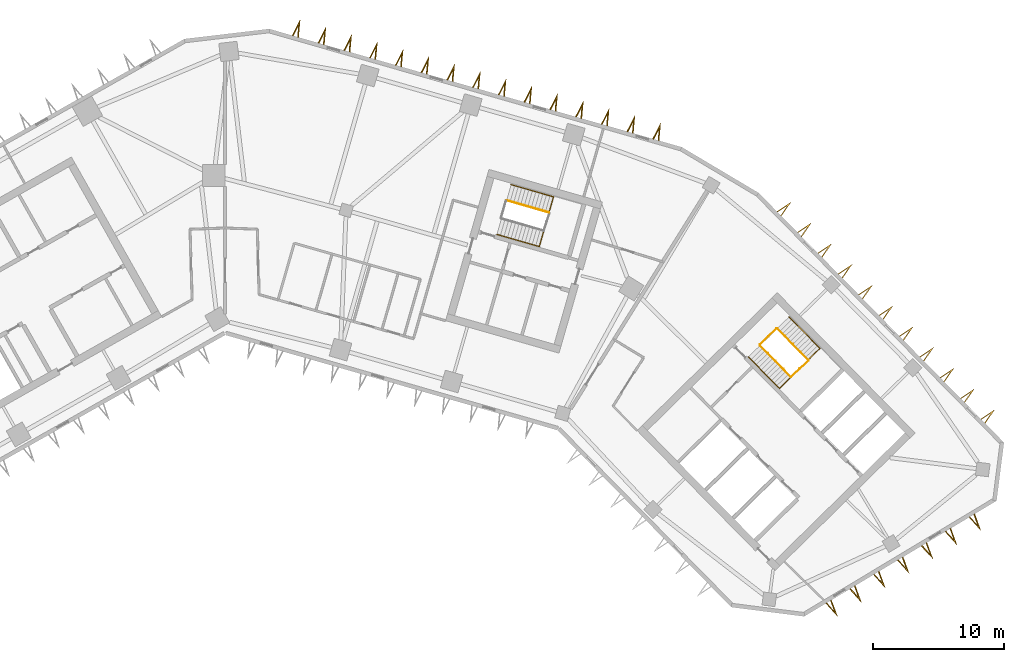
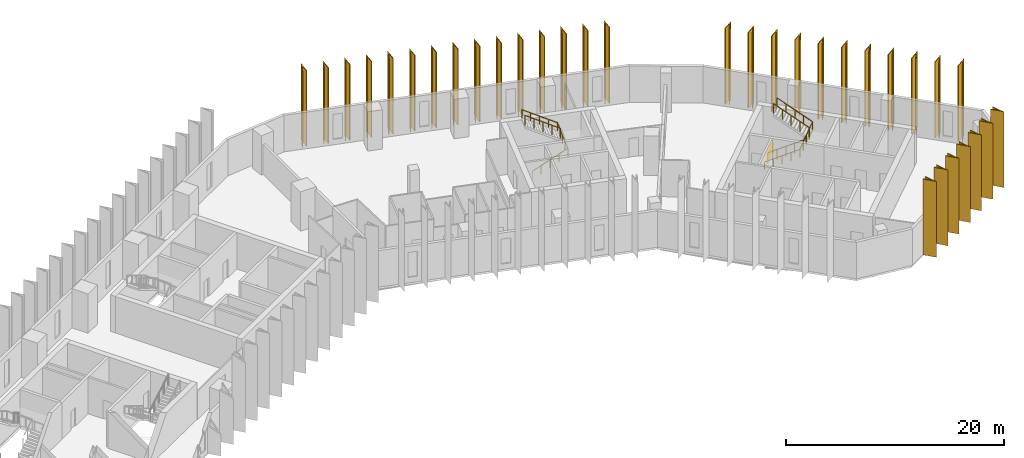
# One storey, part 11 of 11: 33 shading devices, 6 railings.
"""IFC4 building model written with IfcOpenShell, lengths in metres."""

import ifcopenshell
import ifcopenshell.guid

model = None  # the IFC model being written
_history = None  # IfcOwnerHistory: only IFC2X3 demands one
_inside = {}  # id of a spatial element -> (the spatial element, [elements in it])
_under = {}  # id of a project, library or spatial element -> (it, [spatial elements below it])
_declared = {}  # id of a project -> (the project, [libraries it declares])
_typed = {}  # id of a type object -> (the type object, [elements of that type])
_made_of = {}  # id of a material, layer set ... -> (it, [elements and type objects made of it])


def new_model(schema):
    """Start an empty IFC model of exactly this schema.

    Asked for "IFC4X3", IfcOpenShell would pick the latest addendum, in which some entities
    have other attributes; the version numbers below select the first issue.
    IFC2X3 requires an IfcOwnerHistory on every rooted entity: one is made here for all.
    """
    global model, _history
    if schema == "IFC4X3":
        model = ifcopenshell.file(schema_version=(4, 3, 0, 0))
    else:
        model = ifcopenshell.file(schema=schema)
    _inside.clear()
    _under.clear()
    _declared.clear()
    _typed.clear()
    _made_of.clear()
    _history = None
    if model.schema == "IFC2X3":
        org = make("IfcOrganization", Name="unknown")
        user = make(
            "IfcPersonAndOrganization",
            ThePerson=make("IfcPerson", FamilyName="unknown"),
            TheOrganization=org,
        )
        app = make(
            "IfcApplication",
            ApplicationDeveloper=org,
            Version="unknown",
            ApplicationFullName="unknown",
            ApplicationIdentifier="unknown",
        )
        _history = make(
            "IfcOwnerHistory",
            OwningUser=user,
            OwningApplication=app,
            ChangeAction="ADDED",
            CreationDate=0,
        )
    return model


def make(cls, **values):
    """One entity of the class cls with the attributes given. An attribute that is None is left unset."""
    return model.create_entity(
        cls, **{name: value for name, value in values.items() if value is not None}
    )


def rooted(cls, **values):
    """An entity with a GlobalId (a new one), such as an element, a storey or a relation."""
    return make(cls, GlobalId=ifcopenshell.guid.new(), OwnerHistory=_history, **values)


def si_unit(unit_type, name, prefix=None):
    """IfcSIUnit, for example si_unit("LENGTHUNIT", "METRE", prefix="MILLI")."""
    return make("IfcSIUnit", UnitType=unit_type, Prefix=prefix, Name=name)


def assignment(units):
    """IfcUnitAssignment: the units of a project."""
    return None if units is None else make("IfcUnitAssignment", Units=units)


def point(xyz):
    """IfcCartesianPoint."""
    return None if xyz is None else make("IfcCartesianPoint", Coordinates=xyz)


def direction(xyz):
    """IfcDirection."""
    return None if xyz is None else make("IfcDirection", DirectionRatios=xyz)


def frame(location, z_axis=None, x_axis=None):
    """IfcAxis2Placement3D, a coordinate frame: its origin and axes. An axis left out is left unset."""
    return make(
        "IfcAxis2Placement3D",
        Location=point(location),
        Axis=direction(z_axis),
        RefDirection=direction(x_axis),
    )


def frame_2d(location, x_axis=None):
    """IfcAxis2Placement2D, a coordinate frame in the plane: its origin and x axis."""
    return make(
        "IfcAxis2Placement2D", Location=point(location), RefDirection=direction(x_axis)
    )


def origin():
    """The frame at (0, 0, 0) with its axes left unset."""
    return frame((0.0, 0.0, 0.0))


def origin_2d():
    """The frame at (0, 0) in the plane with its x axis left unset."""
    return frame_2d((0.0, 0.0))


def place(relative_to, where):
    """IfcLocalPlacement: puts the frame where relative to a parent placement (None: the world)."""
    return make(
        "IfcLocalPlacement", PlacementRelTo=relative_to, RelativePlacement=where
    )


def context(
    kind, dimensions, precision=None, world=None, true_north=None, identifier=None
):
    """IfcGeometricRepresentationContext, for example the 3D "Model" context."""
    return make(
        "IfcGeometricRepresentationContext",
        ContextIdentifier=identifier,
        ContextType=kind,
        CoordinateSpaceDimension=dimensions,
        Precision=precision,
        WorldCoordinateSystem=world,
        TrueNorth=true_north,
    )


def subcontext(parent, identifier, kind, view, scale=None):
    """IfcGeometricRepresentationSubContext, for example "Body" below "Model"."""
    return make(
        "IfcGeometricRepresentationSubContext",
        ContextIdentifier=identifier,
        ContextType=kind,
        ParentContext=parent,
        TargetScale=scale,
        TargetView=view,
    )


def project(units=None, contexts=None):
    """IfcProject with its units and contexts."""
    return rooted(
        "IfcProject",
        Name="project",
        RepresentationContexts=contexts,
        UnitsInContext=assignment(units),
    )


def spatial(cls, under=None, at=None, **own):
    """A site, building, storey or space (cls), placed at a placement, below another one or the project."""
    s = rooted(cls, ObjectPlacement=at, **own)
    if under is not None:
        _under.setdefault(under.id(), (under, []))[1].append(s)
    return s


def polyline(points):
    """IfcPolyline through the points."""
    return make("IfcPolyline", Points=[point(p) for p in points])


def profile(cls, at=None, kind="AREA", **sizes):
    """A parametric profile (cls). Its sizes go by their IFC names, for example OverallWidth=200.0."""
    return make(cls, ProfileType=kind, Position=at, **sizes)


def circle(**sizes):
    """IfcCircleProfileDef."""
    return profile("IfcCircleProfileDef", **sizes)


def outline(outer, holes=None, kind="AREA"):
    """IfcArbitraryClosedProfileDef: a profile drawn as a closed curve; with holes, ...WithVoids."""
    if holes is None:
        return make("IfcArbitraryClosedProfileDef", ProfileType=kind, OuterCurve=outer)
    return make(
        "IfcArbitraryProfileDefWithVoids",
        ProfileType=kind,
        OuterCurve=outer,
        InnerCurves=holes,
    )


def extrude(swept, where, along, depth):
    """IfcExtrudedAreaSolid: the profile swept, set in the frame where, extruded along a direction by depth."""
    return make(
        "IfcExtrudedAreaSolid",
        SweptArea=swept,
        Position=where,
        ExtrudedDirection=direction(along),
        Depth=depth,
    )


def shape(context_of_items, identifier, shape_type, items):
    """IfcShapeRepresentation: the items that make up one representation, for example the "Body"."""
    return make(
        "IfcShapeRepresentation",
        ContextOfItems=context_of_items,
        RepresentationIdentifier=identifier,
        RepresentationType=shape_type,
        Items=items,
    )


def material(Name=None, Category=None):
    """IfcMaterial."""
    return make("IfcMaterial", Name=Name, Category=Category)


def made_of(thing, what):
    """Note that an element or type object is made of a material, layer set ...; save() writes the relation."""
    if what is not None:
        _made_of.setdefault(what.id(), (what, []))[1].append(thing)
    return thing


def type_object(cls, material=None, **own):
    """A type object (cls), such as IfcWallType, which elements share."""
    return made_of(rooted(cls, **own), material)


def element(
    cls,
    number,
    at=None,
    inside=None,
    cuts=None,
    type_object=None,
    material=None,
    context=None,
    identifier="Body",
    shape_type=None,
    held_by="IfcProductDefinitionShape",
    body=None,
    shapes=None,
    **own,
):
    """One element of the class cls, such as IfcWall. Its Tag is "e" and its number.

    at: its placement. inside: the storey or other place that contains it. cuts: it is an
    opening in that element (IfcRelVoidsElement). A single representation is given by context,
    identifier, shape_type and body (its items); several are given by shapes. held_by: the class
    of the entity that holds the representations. save() writes the other relations.
    """
    e = rooted(cls, Tag="e%d" % number, ObjectPlacement=at, **own)
    if body is not None:
        shapes = [shape(context, identifier, shape_type, body)]
    if shapes is not None:
        e.Representation = make(held_by, Representations=shapes)
    if inside is not None:
        _inside.setdefault(inside.id(), (inside, []))[1].append(e)
    if cuts is not None:
        rooted(
            "IfcRelVoidsElement", RelatingBuildingElement=cuts, RelatedOpeningElement=e
        )
    if type_object is not None:
        _typed.setdefault(type_object.id(), (type_object, []))[1].append(e)
    return made_of(e, material)


def aggregate(whole, parts):
    """IfcRelAggregates: a whole, such as a stair, and the parts it consists of."""
    return rooted("IfcRelAggregates", RelatingObject=whole, RelatedObjects=parts)


def save(model, path):
    """Write the relations noted so far, then the file.

    IfcRelAggregates (storeys below a building ...), IfcRelContainedInSpatialStructure (elements
    in a storey), IfcRelDefinesByType, IfcRelAssociatesMaterial and IfcRelDeclares: one each for
    every whole, place, type object, material and project.
    """
    for whole, parts in _under.values():
        aggregate(whole, parts)
    for where, things in _inside.values():
        rooted(
            "IfcRelContainedInSpatialStructure",
            RelatedElements=things,
            RelatingStructure=where,
        )
    for kind, things in _typed.values():
        rooted("IfcRelDefinesByType", RelatedObjects=things, RelatingType=kind)
    for what, things in _made_of.values():
        rooted("IfcRelAssociatesMaterial", RelatedObjects=things, RelatingMaterial=what)
    for by, libraries in _declared.values():
        rooted("IfcRelDeclares", RelatingContext=by, RelatedDefinitions=libraries)
    model.write(path)


model = new_model("IFC4")

# Units and contexts
model_context = context("Model", 3, precision=1e-05, world=origin(), true_north=direction((0.0, 1.0)))
body_context = subcontext(model_context, "Body", "Model", "MODEL_VIEW")
ifc_project = project(units=[si_unit("LENGTHUNIT", "METRE"), si_unit("AREAUNIT", "SQUARE_METRE"), si_unit("VOLUMEUNIT", "CUBIC_METRE"), si_unit("PLANEANGLEUNIT", "RADIAN"), si_unit("MASSUNIT", "GRAM", prefix="KILO")], contexts=[model_context])

# Site, building, storey
site_placement = place(None, origin())
site = spatial("IfcSite", under=ifc_project, at=site_placement, CompositionType="ELEMENT")
building_placement = place(site_placement, origin())
building = spatial("IfcBuilding", under=site, at=building_placement, Name="Binnacle Exchange Tower", CompositionType="ELEMENT")
storey_placement = place(building_placement, frame((0.0, 0.0, 132.300048828125)))
storey = spatial("IfcBuildingStorey", under=building, at=storey_placement, Name="L27", CompositionType="ELEMENT", Elevation=132.300048828125)

# Railings
ifc_material_1 = material(Name="Steel guard rail", Category="steel")
railing_type_1 = type_object("IfcRailingType", Name="STAIR GUARD 1100", PredefinedType="GUARDRAIL", material=ifc_material_1)
railing_1_placement = place(storey_placement, frame((40.822509765625, 47.046875, 0.169189453125)))
element("IfcRailing", 1, at=railing_1_placement, inside=storey, type_object=railing_type_1, Name="L27 STB1 stair guard 1", PredefinedType="GUARDRAIL", context=body_context, shape_type="SweptSolid", body=[
    extrude(circle(Radius=0.02392578125, at=origin_2d()), frame((0.0, 0.0, 1.076171875), z_axis=(0.599850224077, -0.610421915772, 0.51726665601), x_axis=(0.713256128111, 0.700903485305, 0.0)), (0.0, 0.0, 1.0), 3.926025390625),
    extrude(circle(Radius=0.02392578125, at=origin_2d()), frame((2.35498046875, -2.396484375, 3.10693359375), z_axis=(0.732527851538, 0.680737061369, 0.0), x_axis=(-0.680737061369, 0.732527851538, 0.0)), (0.0, 0.0, 1.0), 1.80078125),
    extrude(circle(Radius=0.02099609375, at=origin_2d()), origin(), (0.0, 0.0, 1.0), 1.052001953125),
    extrude(circle(Radius=0.02099609375, at=origin_2d()), frame((0.5888671875, -0.59912109375, 0.5078125)), (0.0, 0.0, 1.0), 1.052001953125),
    extrude(circle(Radius=0.02099609375, at=origin_2d()), frame((1.177490234375, -1.1982421875, 1.015380859375)), (0.0, 0.0, 1.0), 1.052001953125),
    extrude(circle(Radius=0.02099609375, at=origin_2d()), frame((1.76611328125, -1.79736328125, 1.52294921875)), (0.0, 0.0, 1.0), 1.052001953125),
    extrude(circle(Radius=0.02099609375, at=origin_2d()), frame((2.35498046875, -2.396484375, 2.03076171875)), (0.0, 0.0, 1.0), 1.052001953125),
    extrude(circle(Radius=0.02099609375, at=origin_2d()), frame((3.0146484375, -1.78369140625, 2.03076171875)), (0.0, 0.0, 1.0), 1.052001953125),
    extrude(circle(Radius=0.02099609375, at=origin_2d()), frame((3.674072265625, -1.170654296875, 2.03076171875)), (0.0, 0.0, 1.0), 1.052001953125),
])
railing_2_placement = place(storey_placement, frame((44.4970703125, 45.947021484375, 2.369140625)))
element("IfcRailing", 2, at=railing_2_placement, inside=storey, type_object=railing_type_1, Name="L27 STB1 stair guard 2", PredefinedType="GUARDRAIL", context=body_context, shape_type="SweptSolid", body=[
    extrude(circle(Radius=0.02392578125, at=origin_2d()), frame((0.0, 0.0, 1.076171875), z_axis=(-0.599850224077, 0.610421915772, 0.51726665601), x_axis=(-0.713256128111, -0.700903485305, 0.0)), (0.0, 0.0, 1.0), 3.926025390625),
    extrude(circle(Radius=0.02099609375, at=origin_2d()), origin(), (0.0, 0.0, 1.0), 1.052001953125),
    extrude(circle(Radius=0.02099609375, at=origin_2d()), frame((-0.5888671875, 0.59912109375, 0.5078125)), (0.0, 0.0, 1.0), 1.052001953125),
    extrude(circle(Radius=0.02099609375, at=origin_2d()), frame((-1.177490234375, 1.1982421875, 1.015380859375)), (0.0, 0.0, 1.0), 1.052001953125),
    extrude(circle(Radius=0.02099609375, at=origin_2d()), frame((-1.76611328125, 1.79736328125, 1.52294921875)), (0.0, 0.0, 1.0), 1.052001953125),
    extrude(circle(Radius=0.02099609375, at=origin_2d()), frame((-2.35498046875, 2.396484375, 2.03076171875)), (0.0, 0.0, 1.0), 1.052001953125),
])
railing_3_placement = place(storey_placement, frame((40.8232421875, 47.117431640625, 0.0)))
element("IfcRailing", 3, at=railing_3_placement, inside=storey, type_object=railing_type_1, Name="L27 STB1 stair guard 3", PredefinedType="GUARDRAIL", context=body_context, shape_type="SweptSolid", body=[
    extrude(circle(Radius=0.02392578125, at=origin_2d()), frame((0.0, 0.0, 1.076171875), z_axis=(0.713218950569, 0.700941316052, 0.0), x_axis=(-0.700941316052, 0.713218950569, 0.0)), (0.0, 0.0, 1.0), 1.75),
    extrude(circle(Radius=0.02099609375, at=origin_2d()), origin(), (0.0, 0.0, 1.0), 1.052001953125),
    extrude(circle(Radius=0.02099609375, at=origin_2d()), frame((0.6240234375, 0.61328125, 0.0)), (0.0, 0.0, 1.0), 1.052001953125),
    extrude(circle(Radius=0.02099609375, at=origin_2d()), frame((1.248046875, 1.2265625, 0.0)), (0.0, 0.0, 1.0), 1.052001953125),
])
railing_4_placement = place(storey_placement, frame((24.716064453125, 57.177978515625, 2.369140625)))
element("IfcRailing", 4, at=railing_4_placement, inside=storey, type_object=railing_type_1, Name="L27 STD1 stair guard 2", PredefinedType="GUARDRAIL", context=body_context, shape_type="SweptSolid", body=[
    extrude(circle(Radius=0.02392578125, at=origin_2d()), frame((0.0, 0.0, 1.076171875), z_axis=(-0.82266146106, 0.235934506256, 0.517264950721), x_axis=(-0.27568068152, -0.961249271436, 0.0)), (0.0, 0.0, 1.0), 3.926025390625),
    extrude(circle(Radius=0.02099609375, at=origin_2d()), origin(), (0.0, 0.0, 1.0), 1.052001953125),
    extrude(circle(Radius=0.02099609375, at=origin_2d()), frame((-0.807373046875, 0.2314453125, 0.5078125)), (0.0, 0.0, 1.0), 1.052001953125),
    extrude(circle(Radius=0.02099609375, at=origin_2d()), frame((-1.61474609375, 0.463134765625, 1.015380859375)), (0.0, 0.0, 1.0), 1.052001953125),
    extrude(circle(Radius=0.02099609375, at=origin_2d()), frame((-2.42236328125, 0.69482421875, 1.52294921875)), (0.0, 0.0, 1.0), 1.052001953125),
    extrude(circle(Radius=0.02099609375, at=origin_2d()), frame((-3.229736328125, 0.92626953125, 2.03076171875)), (0.0, 0.0, 1.0), 1.052001953125),
])
ifc_material_2 = material(Name="Steel handrail", Category="steel")
railing_type_2 = type_object("IfcRailingType", Name="STAIR HANDRAIL 900", PredefinedType="HANDRAIL", material=ifc_material_2)
railing_5_placement = place(storey_placement, frame((39.930908203125, 46.170654296875, 0.169189453125)))
element("IfcRailing", 5, at=railing_5_placement, inside=storey, type_object=railing_type_2, Name="L27 STB1 stair handrail 1", PredefinedType="HANDRAIL", context=body_context, shape_type="SweptSolid", body=[
    extrude(circle(Radius=0.02392578125, at=origin_2d()), frame((0.0, 0.0, 0.8759765625), z_axis=(0.599890032335, -0.610399145579, 0.51724736073), x_axis=(0.713219803244, 0.700940448441, 0.0)), (0.0, 0.0, 1.0), 3.926025390625),
    extrude(circle(Radius=0.02392578125, at=origin_2d()), frame((2.355224609375, -2.396484375, 2.90673828125), z_axis=(0.712714810107, 0.700376341566, 0.038866175905), x_axis=(-0.700905928746, 0.713253726978, 0.0)), (0.0, 0.0, 1.0), 4.35302734375),
    extrude(circle(Radius=0.02392578125, at=origin_2d()), frame((5.457763671875, 0.65234375, 3.07568359375), z_axis=(-0.599827453926, 0.610460928384, 0.517247020709), x_axis=(-0.713291821981, -0.70086716052, 0.0)), (0.0, 0.0, 1.0), 3.926025390625),
    extrude(circle(Radius=0.02099609375, at=origin_2d()), origin(), (0.0, 0.0, 1.0), 0.851806640625),
    extrude(circle(Radius=0.02099609375, at=origin_2d()), frame((0.5888671875, -0.59912109375, 0.5078125)), (0.0, 0.0, 1.0), 0.851806640625),
    extrude(circle(Radius=0.02099609375, at=origin_2d()), frame((1.177734375, -1.1982421875, 1.015380859375)), (0.0, 0.0, 1.0), 0.851806640625),
    extrude(circle(Radius=0.02099609375, at=origin_2d()), frame((1.766357421875, -1.79736328125, 1.52294921875)), (0.0, 0.0, 1.0), 0.851806640625),
    extrude(circle(Radius=0.02099609375, at=origin_2d()), frame((2.355224609375, -2.396484375, 2.03076171875)), (0.0, 0.0, 1.0), 0.851806640625),
    extrude(circle(Radius=0.02099609375, at=origin_2d()), frame((3.130859375, -1.63427734375, 2.072998046875)), (0.0, 0.0, 1.0), 0.851806640625),
    extrude(circle(Radius=0.02099609375, at=origin_2d()), frame((3.906494140625, -0.8720703125, 2.115234375)), (0.0, 0.0, 1.0), 0.851806640625),
    extrude(circle(Radius=0.02099609375, at=origin_2d()), frame((4.68212890625, -0.10986328125, 2.15771484375)), (0.0, 0.0, 1.0), 0.851806640625),
    extrude(circle(Radius=0.02099609375, at=origin_2d()), frame((5.457763671875, 0.65234375, 2.199951171875)), (0.0, 0.0, 1.0), 0.851806640625),
    extrude(circle(Radius=0.02099609375, at=origin_2d()), frame((4.869140625, 1.25146484375, 2.70751953125)), (0.0, 0.0, 1.0), 0.851806640625),
    extrude(circle(Radius=0.02099609375, at=origin_2d()), frame((4.2802734375, 1.8505859375, 3.21533203125)), (0.0, 0.0, 1.0), 0.851806640625),
    extrude(circle(Radius=0.02099609375, at=origin_2d()), frame((3.69140625, 2.449951171875, 3.72314453125)), (0.0, 0.0, 1.0), 0.851806640625),
    extrude(circle(Radius=0.02099609375, at=origin_2d()), frame((3.102783203125, 3.049072265625, 4.230712890625)), (0.0, 0.0, 1.0), 0.851806640625),
])
railing_6_placement = place(storey_placement, frame((20.7421875, 55.5087890625, 0.169189453125)))
element("IfcRailing", 6, at=railing_6_placement, inside=storey, type_object=railing_type_2, Name="L27 STD1 stair handrail 1", PredefinedType="HANDRAIL", context=body_context, shape_type="SweptSolid", body=[
    extrude(circle(Radius=0.02392578125, at=origin_2d()), frame((0.0, 0.0, 0.8759765625), z_axis=(0.82266146106, -0.235934506256, 0.517264950721), x_axis=(0.27568068152, 0.961249271436, 0.0)), (0.0, 0.0, 1.0), 3.926025390625),
    extrude(circle(Radius=0.02392578125, at=origin_2d()), frame((3.229736328125, -0.92626953125, 2.90673828125), z_axis=(0.275399082883, 0.960377115711, 0.042791830591), x_axis=(-0.961257617982, 0.275651576943, 0.0)), (0.0, 0.0, 1.0), 3.953857421875),
    extrude(circle(Radius=0.02392578125, at=origin_2d()), frame((4.318603515625, 2.870849609375, 3.07568359375), z_axis=(-0.822693627572, 0.235863713483, 0.517246076655), x_axis=(-0.275594289407, -0.961274043989, 0.0)), (0.0, 0.0, 1.0), 3.926025390625),
    extrude(circle(Radius=0.02099609375, at=origin_2d()), origin(), (0.0, 0.0, 1.0), 0.851806640625),
    extrude(circle(Radius=0.02099609375, at=origin_2d()), frame((0.807373046875, -0.2314453125, 0.5078125)), (0.0, 0.0, 1.0), 0.851806640625),
    extrude(circle(Radius=0.02099609375, at=origin_2d()), frame((1.61474609375, -0.463134765625, 1.015380859375)), (0.0, 0.0, 1.0), 0.851806640625),
    extrude(circle(Radius=0.02099609375, at=origin_2d()), frame((2.42236328125, -0.69482421875, 1.52294921875)), (0.0, 0.0, 1.0), 0.851806640625),
    extrude(circle(Radius=0.02099609375, at=origin_2d()), frame((3.229736328125, -0.92626953125, 2.03076171875)), (0.0, 0.0, 1.0), 0.851806640625),
    extrude(circle(Radius=0.02099609375, at=origin_2d()), frame((3.501953125, 0.02294921875, 2.072998046875)), (0.0, 0.0, 1.0), 0.851806640625),
    extrude(circle(Radius=0.02099609375, at=origin_2d()), frame((3.774169921875, 0.97216796875, 2.115234375)), (0.0, 0.0, 1.0), 0.851806640625),
    extrude(circle(Radius=0.02099609375, at=origin_2d()), frame((4.04638671875, 1.921630859375, 2.15771484375)), (0.0, 0.0, 1.0), 0.851806640625),
    extrude(circle(Radius=0.02099609375, at=origin_2d()), frame((4.318603515625, 2.870849609375, 2.199951171875)), (0.0, 0.0, 1.0), 0.851806640625),
    extrude(circle(Radius=0.02099609375, at=origin_2d()), frame((3.51123046875, 3.102294921875, 2.70751953125)), (0.0, 0.0, 1.0), 0.851806640625),
    extrude(circle(Radius=0.02099609375, at=origin_2d()), frame((2.70361328125, 3.333984375, 3.21533203125)), (0.0, 0.0, 1.0), 0.851806640625),
    extrude(circle(Radius=0.02099609375, at=origin_2d()), frame((1.89599609375, 3.5654296875, 3.72314453125)), (0.0, 0.0, 1.0), 0.851806640625),
    extrude(circle(Radius=0.02099609375, at=origin_2d()), frame((1.088623046875, 3.796875, 4.230712890625)), (0.0, 0.0, 1.0), 0.851806640625),
])

# Shading devices
ifc_material_3 = material(Name="Bronze aluminium cladding", Category="aluminium")
shading_device_type = type_object("IfcShadingDeviceType", Name="V FIN 1300 DEEP x 8480 HIGH", PredefinedType="USERDEFINED", material=ifc_material_3)
shading_device_1_placement = place(storey_placement, origin())
element("IfcShadingDevice", 7, at=shading_device_1_placement, inside=storey, type_object=shading_device_type, Name="V fin FN-F01-01 L27", ObjectType="FIN", PredefinedType="USERDEFINED", context=body_context, shape_type="SweptSolid", body=[
    extrude(outline(polyline([(33.107421875, 62.66259765625), (33.225341796875, 63.981201171875), (32.626708984375, 62.800537109375), (32.705078125, 62.778076171875), (33.108642578125, 63.573974609375), (33.029052734375, 62.68505859375), (33.107421875, 62.66259765625)])), origin(), (0.0, 0.0, 1.0), 8.47998046875),
])
shading_device_2_placement = place(storey_placement, origin())
element("IfcShadingDevice", 8, at=shading_device_2_placement, inside=storey, type_object=shading_device_type, Name="V fin FN-F01-02 L27", ObjectType="FIN", PredefinedType="USERDEFINED", context=body_context, shape_type="SweptSolid", body=[
    extrude(outline(polyline([(31.143310546875, 63.225830078125), (31.26123046875, 64.54443359375), (30.66259765625, 63.36376953125), (30.740966796875, 63.34130859375), (31.14453125, 64.13720703125), (31.06494140625, 63.248291015625), (31.143310546875, 63.225830078125)])), origin(), (0.0, 0.0, 1.0), 8.47998046875),
])
shading_device_3_placement = place(storey_placement, origin())
element("IfcShadingDevice", 9, at=shading_device_3_placement, inside=storey, type_object=shading_device_type, Name="V fin FN-F01-03 L27", ObjectType="FIN", PredefinedType="USERDEFINED", context=body_context, shape_type="SweptSolid", body=[
    extrude(outline(polyline([(29.17919921875, 63.7890625), (29.297119140625, 65.107666015625), (28.698486328125, 63.927001953125), (28.77685546875, 63.904541015625), (29.180419921875, 64.700439453125), (29.100830078125, 63.8115234375), (29.17919921875, 63.7890625)])), origin(), (0.0, 0.0, 1.0), 8.47998046875),
])
shading_device_4_placement = place(storey_placement, origin())
element("IfcShadingDevice", 10, at=shading_device_4_placement, inside=storey, type_object=shading_device_type, Name="V fin FN-F01-04 L27", ObjectType="FIN", PredefinedType="USERDEFINED", context=body_context, shape_type="SweptSolid", body=[
    extrude(outline(polyline([(27.215087890625, 64.352294921875), (27.3330078125, 65.6708984375), (26.734619140625, 64.489990234375), (26.812744140625, 64.4677734375), (27.21630859375, 65.263671875), (27.13671875, 64.374755859375), (27.215087890625, 64.352294921875)])), origin(), (0.0, 0.0, 1.0), 8.47998046875),
])
shading_device_5_placement = place(storey_placement, origin())
element("IfcShadingDevice", 11, at=shading_device_5_placement, inside=storey, type_object=shading_device_type, Name="V fin FN-F01-05 L27", ObjectType="FIN", PredefinedType="USERDEFINED", context=body_context, shape_type="SweptSolid", body=[
    extrude(outline(polyline([(25.2509765625, 64.91552734375), (25.368896484375, 66.23388671875), (24.7705078125, 65.05322265625), (24.8486328125, 65.031005859375), (25.252197265625, 65.826904296875), (25.172607421875, 64.93798828125), (25.2509765625, 64.91552734375)])), origin(), (0.0, 0.0, 1.0), 8.47998046875),
])
shading_device_6_placement = place(storey_placement, origin())
element("IfcShadingDevice", 12, at=shading_device_6_placement, inside=storey, type_object=shading_device_type, Name="V fin FN-F01-06 L27", ObjectType="FIN", PredefinedType="USERDEFINED", context=body_context, shape_type="SweptSolid", body=[
    extrude(outline(polyline([(23.287109375, 65.478515625), (23.405029296875, 66.797119140625), (22.806396484375, 65.616455078125), (22.884765625, 65.593994140625), (23.288330078125, 66.389892578125), (23.208740234375, 65.5009765625), (23.287109375, 65.478515625)])), origin(), (0.0, 0.0, 1.0), 8.47998046875),
])
shading_device_7_placement = place(storey_placement, origin())
element("IfcShadingDevice", 13, at=shading_device_7_placement, inside=storey, type_object=shading_device_type, Name="V fin FN-F01-07 L27", ObjectType="FIN", PredefinedType="USERDEFINED", context=body_context, shape_type="SweptSolid", body=[
    extrude(outline(polyline([(21.32275390625, 66.041748046875), (21.44091796875, 67.3603515625), (20.84228515625, 66.1796875), (20.92041015625, 66.1572265625), (21.32421875, 66.953125), (21.244384765625, 66.064208984375), (21.32275390625, 66.041748046875)])), origin(), (0.0, 0.0, 1.0), 8.47998046875),
])
shading_device_8_placement = place(storey_placement, origin())
element("IfcShadingDevice", 14, at=shading_device_8_placement, inside=storey, type_object=shading_device_type, Name="V fin FN-F01-08 L27", ObjectType="FIN", PredefinedType="USERDEFINED", context=body_context, shape_type="SweptSolid", body=[
    extrude(outline(polyline([(19.35888671875, 66.60498046875), (19.476806640625, 67.923583984375), (18.878173828125, 66.742919921875), (18.95654296875, 66.720458984375), (19.360107421875, 67.516357421875), (19.280517578125, 66.62744140625), (19.35888671875, 66.60498046875)])), origin(), (0.0, 0.0, 1.0), 8.47998046875),
])
shading_device_9_placement = place(storey_placement, origin())
element("IfcShadingDevice", 15, at=shading_device_9_placement, inside=storey, type_object=shading_device_type, Name="V fin FN-F01-09 L27", ObjectType="FIN", PredefinedType="USERDEFINED", context=body_context, shape_type="SweptSolid", body=[
    extrude(outline(polyline([(17.394775390625, 67.168212890625), (17.5126953125, 68.48681640625), (16.9140625, 67.305908203125), (16.992431640625, 67.28369140625), (17.39599609375, 68.07958984375), (17.31640625, 67.190673828125), (17.394775390625, 67.168212890625)])), origin(), (0.0, 0.0, 1.0), 8.47998046875),
])
shading_device_10_placement = place(storey_placement, origin())
element("IfcShadingDevice", 16, at=shading_device_10_placement, inside=storey, type_object=shading_device_type, Name="V fin FN-F01-10 L27", ObjectType="FIN", PredefinedType="USERDEFINED", context=body_context, shape_type="SweptSolid", body=[
    extrude(outline(polyline([(15.4306640625, 67.7314453125), (15.548583984375, 69.0498046875), (14.949951171875, 67.869140625), (15.0283203125, 67.8466796875), (15.431884765625, 68.642578125), (15.352294921875, 67.75390625), (15.4306640625, 67.7314453125)])), origin(), (0.0, 0.0, 1.0), 8.47998046875),
])
shading_device_11_placement = place(storey_placement, origin())
element("IfcShadingDevice", 17, at=shading_device_11_placement, inside=storey, type_object=shading_device_type, Name="V fin FN-F01-11 L27", ObjectType="FIN", PredefinedType="USERDEFINED", context=body_context, shape_type="SweptSolid", body=[
    extrude(outline(polyline([(13.466552734375, 68.294677734375), (13.58447265625, 69.613037109375), (12.98583984375, 68.432373046875), (13.064208984375, 68.409912109375), (13.4677734375, 69.205810546875), (13.38818359375, 68.31689453125), (13.466552734375, 68.294677734375)])), origin(), (0.0, 0.0, 1.0), 8.47998046875),
])
shading_device_12_placement = place(storey_placement, origin())
element("IfcShadingDevice", 18, at=shading_device_12_placement, inside=storey, type_object=shading_device_type, Name="V fin FN-F01-12 L27", ObjectType="FIN", PredefinedType="USERDEFINED", context=body_context, shape_type="SweptSolid", body=[
    extrude(outline(polyline([(11.50244140625, 68.85791015625), (11.620361328125, 70.17626953125), (11.021728515625, 68.99560546875), (11.10009765625, 68.97314453125), (11.503662109375, 69.76904296875), (11.424072265625, 68.880126953125), (11.50244140625, 68.85791015625)])), origin(), (0.0, 0.0, 1.0), 8.47998046875),
])
shading_device_13_placement = place(storey_placement, origin())
element("IfcShadingDevice", 19, at=shading_device_13_placement, inside=storey, type_object=shading_device_type, Name="V fin FN-F01-13 L27", ObjectType="FIN", PredefinedType="USERDEFINED", context=body_context, shape_type="SweptSolid", body=[
    extrude(outline(polyline([(9.538330078125, 69.4208984375), (9.65625, 70.739501953125), (9.0576171875, 69.558837890625), (9.135986328125, 69.536376953125), (9.53955078125, 70.332275390625), (9.4599609375, 69.443359375), (9.538330078125, 69.4208984375)])), origin(), (0.0, 0.0, 1.0), 8.47998046875),
])
shading_device_14_placement = place(storey_placement, origin())
element("IfcShadingDevice", 20, at=shading_device_14_placement, inside=storey, type_object=shading_device_type, Name="V fin FN-F01-14 L27", ObjectType="FIN", PredefinedType="USERDEFINED", context=body_context, shape_type="SweptSolid", body=[
    extrude(outline(polyline([(7.57421875, 69.984130859375), (7.6923828125, 71.302734375), (7.09375, 70.1220703125), (7.172119140625, 70.099609375), (7.57568359375, 70.8955078125), (7.49609375, 70.006591796875), (7.57421875, 69.984130859375)])), origin(), (0.0, 0.0, 1.0), 8.47998046875),
])
shading_device_15_placement = place(storey_placement, origin())
element("IfcShadingDevice", 21, at=shading_device_15_placement, inside=storey, type_object=shading_device_type, Name="V fin FN-F01-15 L27", ObjectType="FIN", PredefinedType="USERDEFINED", context=body_context, shape_type="SweptSolid", body=[
    extrude(outline(polyline([(5.610107421875, 70.54736328125), (5.72802734375, 71.865966796875), (5.12939453125, 70.685302734375), (5.207763671875, 70.662841796875), (5.611328125, 71.458740234375), (5.53173828125, 70.56982421875), (5.610107421875, 70.54736328125)])), origin(), (0.0, 0.0, 1.0), 8.47998046875),
])
shading_device_16_placement = place(storey_placement, origin())
element("IfcShadingDevice", 22, at=shading_device_16_placement, inside=storey, type_object=shading_device_type, Name="V fin FN-F11-01 L27", ObjectType="FIN", PredefinedType="USERDEFINED", context=body_context, shape_type="SweptSolid", body=[
    extrude(outline(polyline([(45.82861328125, 27.361572265625), (46.71240234375, 26.376220703125), (46.257080078125, 27.619140625), (46.187255859375, 27.5771484375), (46.494140625, 26.7392578125), (45.898193359375, 27.403564453125), (45.82861328125, 27.361572265625)])), origin(), (0.0, 0.0, 1.0), 8.47998046875),
])
shading_device_17_placement = place(storey_placement, origin())
element("IfcShadingDevice", 23, at=shading_device_17_placement, inside=storey, type_object=shading_device_type, Name="V fin FN-F11-02 L27", ObjectType="FIN", PredefinedType="USERDEFINED", context=body_context, shape_type="SweptSolid", body=[
    extrude(outline(polyline([(47.64990234375, 28.4560546875), (48.53369140625, 27.470458984375), (48.07861328125, 28.713623046875), (48.0087890625, 28.671630859375), (48.315673828125, 27.83349609375), (47.7197265625, 28.498046875), (47.64990234375, 28.4560546875)])), origin(), (0.0, 0.0, 1.0), 8.47998046875),
])
shading_device_18_placement = place(storey_placement, origin())
element("IfcShadingDevice", 24, at=shading_device_18_placement, inside=storey, type_object=shading_device_type, Name="V fin FN-F11-03 L27", ObjectType="FIN", PredefinedType="USERDEFINED", context=body_context, shape_type="SweptSolid", body=[
    extrude(outline(polyline([(49.471435546875, 29.550537109375), (50.355224609375, 28.56494140625), (49.900146484375, 29.80810546875), (49.830322265625, 29.76611328125), (50.13720703125, 28.927978515625), (49.541259765625, 29.592529296875), (49.471435546875, 29.550537109375)])), origin(), (0.0, 0.0, 1.0), 8.47998046875),
])
shading_device_19_placement = place(storey_placement, origin())
element("IfcShadingDevice", 25, at=shading_device_19_placement, inside=storey, type_object=shading_device_type, Name="V fin FN-F11-04 L27", ObjectType="FIN", PredefinedType="USERDEFINED", context=body_context, shape_type="SweptSolid", body=[
    extrude(outline(polyline([(51.29296875, 30.64501953125), (52.1767578125, 29.659423828125), (51.7216796875, 30.902587890625), (51.65185546875, 30.860595703125), (51.958740234375, 30.0224609375), (51.36279296875, 30.68701171875), (51.29296875, 30.64501953125)])), origin(), (0.0, 0.0, 1.0), 8.47998046875),
])
shading_device_20_placement = place(storey_placement, origin())
element("IfcShadingDevice", 26, at=shading_device_20_placement, inside=storey, type_object=shading_device_type, Name="V fin FN-F11-05 L27", ObjectType="FIN", PredefinedType="USERDEFINED", context=body_context, shape_type="SweptSolid", body=[
    extrude(outline(polyline([(53.114501953125, 31.739501953125), (53.998291015625, 30.75390625), (53.543212890625, 31.9970703125), (53.473388671875, 31.955078125), (53.7802734375, 31.116943359375), (53.184326171875, 31.781494140625), (53.114501953125, 31.739501953125)])), origin(), (0.0, 0.0, 1.0), 8.47998046875),
])
shading_device_21_placement = place(storey_placement, origin())
element("IfcShadingDevice", 27, at=shading_device_21_placement, inside=storey, type_object=shading_device_type, Name="V fin FN-F11-06 L27", ObjectType="FIN", PredefinedType="USERDEFINED", context=body_context, shape_type="SweptSolid", body=[
    extrude(outline(polyline([(54.935791015625, 32.833984375), (55.819580078125, 31.848388671875), (55.364501953125, 33.091552734375), (55.294677734375, 33.049560546875), (55.6015625, 32.21142578125), (55.005615234375, 32.8759765625), (54.935791015625, 32.833984375)])), origin(), (0.0, 0.0, 1.0), 8.47998046875),
])
shading_device_22_placement = place(storey_placement, origin())
element("IfcShadingDevice", 28, at=shading_device_22_placement, inside=storey, type_object=shading_device_type, Name="V fin FN-F11-07 L27", ObjectType="FIN", PredefinedType="USERDEFINED", context=body_context, shape_type="SweptSolid", body=[
    extrude(outline(polyline([(56.75732421875, 33.92822265625), (57.64111328125, 32.94287109375), (57.18603515625, 34.185791015625), (57.1162109375, 34.143798828125), (57.423095703125, 33.305908203125), (56.8271484375, 33.97021484375), (56.75732421875, 33.92822265625)])), origin(), (0.0, 0.0, 1.0), 8.47998046875),
])
shading_device_23_placement = place(storey_placement, origin())
element("IfcShadingDevice", 29, at=shading_device_23_placement, inside=storey, type_object=shading_device_type, Name="V fin FN-F13-01 L27", ObjectType="FIN", PredefinedType="USERDEFINED", context=body_context, shape_type="SweptSolid", body=[
    extrude(outline(polyline([(57.990478515625, 41.087890625), (58.742431640625, 42.177490234375), (57.64013671875, 41.444580078125), (57.697265625, 41.386474609375), (58.4404296875, 41.880615234375), (57.933349609375, 41.14599609375), (57.990478515625, 41.087890625)])), origin(), (0.0, 0.0, 1.0), 8.47998046875),
])
shading_device_24_placement = place(storey_placement, origin())
element("IfcShadingDevice", 30, at=shading_device_24_placement, inside=storey, type_object=shading_device_type, Name="V fin FN-F13-02 L27", ObjectType="FIN", PredefinedType="USERDEFINED", context=body_context, shape_type="SweptSolid", body=[
    extrude(outline(polyline([(56.435791015625, 42.669921875), (57.18798828125, 43.759521484375), (56.08544921875, 43.026611328125), (56.142578125, 42.968505859375), (56.8857421875, 43.46240234375), (56.37890625, 42.72802734375), (56.435791015625, 42.669921875)])), origin(), (0.0, 0.0, 1.0), 8.47998046875),
])
shading_device_25_placement = place(storey_placement, origin())
element("IfcShadingDevice", 31, at=shading_device_25_placement, inside=storey, type_object=shading_device_type, Name="V fin FN-F13-03 L27", ObjectType="FIN", PredefinedType="USERDEFINED", context=body_context, shape_type="SweptSolid", body=[
    extrude(outline(polyline([(54.881103515625, 44.251953125), (55.63330078125, 45.34130859375), (54.53076171875, 44.6083984375), (54.587890625, 44.55029296875), (55.3310546875, 45.04443359375), (54.82421875, 44.31005859375), (54.881103515625, 44.251953125)])), origin(), (0.0, 0.0, 1.0), 8.47998046875),
])
shading_device_26_placement = place(storey_placement, origin())
element("IfcShadingDevice", 32, at=shading_device_26_placement, inside=storey, type_object=shading_device_type, Name="V fin FN-F13-04 L27", ObjectType="FIN", PredefinedType="USERDEFINED", context=body_context, shape_type="SweptSolid", body=[
    extrude(outline(polyline([(53.32666015625, 45.833984375), (54.07861328125, 46.92333984375), (52.976318359375, 46.1904296875), (53.033203125, 46.13232421875), (53.776611328125, 46.62646484375), (53.26953125, 45.89208984375), (53.32666015625, 45.833984375)])), origin(), (0.0, 0.0, 1.0), 8.47998046875),
])
shading_device_27_placement = place(storey_placement, origin())
element("IfcShadingDevice", 33, at=shading_device_27_placement, inside=storey, type_object=shading_device_type, Name="V fin FN-F13-05 L27", ObjectType="FIN", PredefinedType="USERDEFINED", context=body_context, shape_type="SweptSolid", body=[
    extrude(outline(polyline([(51.77197265625, 47.416015625), (52.52392578125, 48.50537109375), (51.421630859375, 47.7724609375), (51.478759765625, 47.71435546875), (52.221923828125, 48.20849609375), (51.71484375, 47.47412109375), (51.77197265625, 47.416015625)])), origin(), (0.0, 0.0, 1.0), 8.47998046875),
])
shading_device_28_placement = place(storey_placement, origin())
element("IfcShadingDevice", 34, at=shading_device_28_placement, inside=storey, type_object=shading_device_type, Name="V fin FN-F13-06 L27", ObjectType="FIN", PredefinedType="USERDEFINED", context=body_context, shape_type="SweptSolid", body=[
    extrude(outline(polyline([(50.21728515625, 48.997802734375), (50.969482421875, 50.08740234375), (49.866943359375, 49.3544921875), (49.924072265625, 49.29638671875), (50.667236328125, 49.79052734375), (50.160400390625, 49.055908203125), (50.21728515625, 48.997802734375)])), origin(), (0.0, 0.0, 1.0), 8.47998046875),
])
shading_device_29_placement = place(storey_placement, origin())
element("IfcShadingDevice", 35, at=shading_device_29_placement, inside=storey, type_object=shading_device_type, Name="V fin FN-F13-07 L27", ObjectType="FIN", PredefinedType="USERDEFINED", context=body_context, shape_type="SweptSolid", body=[
    extrude(outline(polyline([(48.66259765625, 50.579833984375), (49.414794921875, 51.66943359375), (48.312255859375, 50.9365234375), (48.369384765625, 50.87841796875), (49.112548828125, 51.37255859375), (48.605712890625, 50.637939453125), (48.66259765625, 50.579833984375)])), origin(), (0.0, 0.0, 1.0), 8.47998046875),
])
shading_device_30_placement = place(storey_placement, origin())
element("IfcShadingDevice", 36, at=shading_device_30_placement, inside=storey, type_object=shading_device_type, Name="V fin FN-F13-08 L27", ObjectType="FIN", PredefinedType="USERDEFINED", context=body_context, shape_type="SweptSolid", body=[
    extrude(outline(polyline([(47.108154296875, 52.161865234375), (47.860107421875, 53.25146484375), (46.7578125, 52.5185546875), (46.814697265625, 52.46044921875), (47.55810546875, 52.95458984375), (47.051025390625, 52.219970703125), (47.108154296875, 52.161865234375)])), origin(), (0.0, 0.0, 1.0), 8.47998046875),
])
shading_device_31_placement = place(storey_placement, origin())
element("IfcShadingDevice", 37, at=shading_device_31_placement, inside=storey, type_object=shading_device_type, Name="V fin FN-F13-09 L27", ObjectType="FIN", PredefinedType="USERDEFINED", context=body_context, shape_type="SweptSolid", body=[
    extrude(outline(polyline([(45.553466796875, 53.743896484375), (46.305419921875, 54.83349609375), (45.203125, 54.1005859375), (45.26025390625, 54.04248046875), (46.00341796875, 54.53662109375), (45.496337890625, 53.802001953125), (45.553466796875, 53.743896484375)])), origin(), (0.0, 0.0, 1.0), 8.47998046875),
])
shading_device_32_placement = place(storey_placement, origin())
element("IfcShadingDevice", 38, at=shading_device_32_placement, inside=storey, type_object=shading_device_type, Name="V fin FN-F13-10 L27", ObjectType="FIN", PredefinedType="USERDEFINED", context=body_context, shape_type="SweptSolid", body=[
    extrude(outline(polyline([(43.998779296875, 55.325927734375), (44.7509765625, 56.415283203125), (43.6484375, 55.6826171875), (43.70556640625, 55.62451171875), (44.44873046875, 56.118408203125), (43.94189453125, 55.384033203125), (43.998779296875, 55.325927734375)])), origin(), (0.0, 0.0, 1.0), 8.47998046875),
])
shading_device_33_placement = place(storey_placement, origin())
element("IfcShadingDevice", 39, at=shading_device_33_placement, inside=storey, type_object=shading_device_type, Name="V fin FN-F13-11 L27", ObjectType="FIN", PredefinedType="USERDEFINED", context=body_context, shape_type="SweptSolid", body=[
    extrude(outline(polyline([(42.444091796875, 56.907958984375), (43.1962890625, 57.997314453125), (42.09375, 57.264404296875), (42.15087890625, 57.206298828125), (42.89404296875, 57.700439453125), (42.38720703125, 56.966064453125), (42.444091796875, 56.907958984375)])), origin(), (0.0, 0.0, 1.0), 8.47998046875),
])

save(model, "model.ifc")
